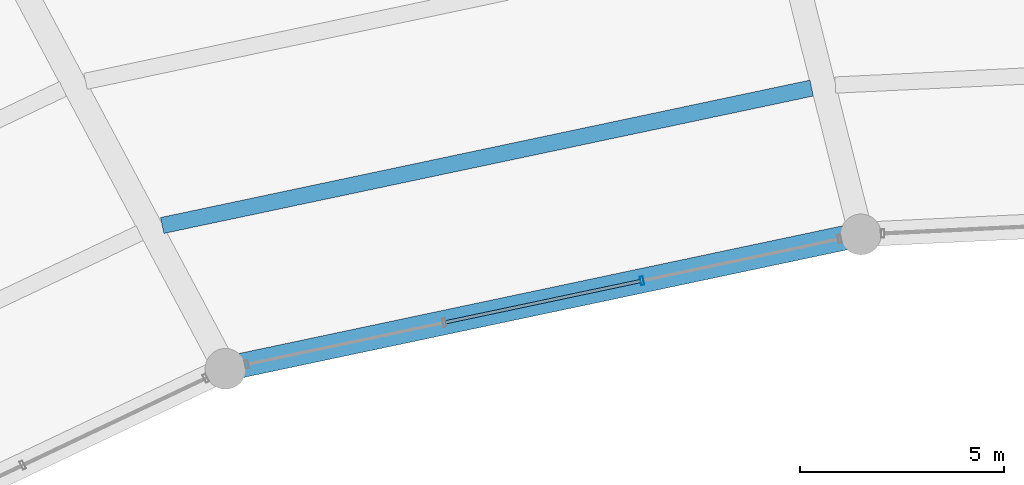
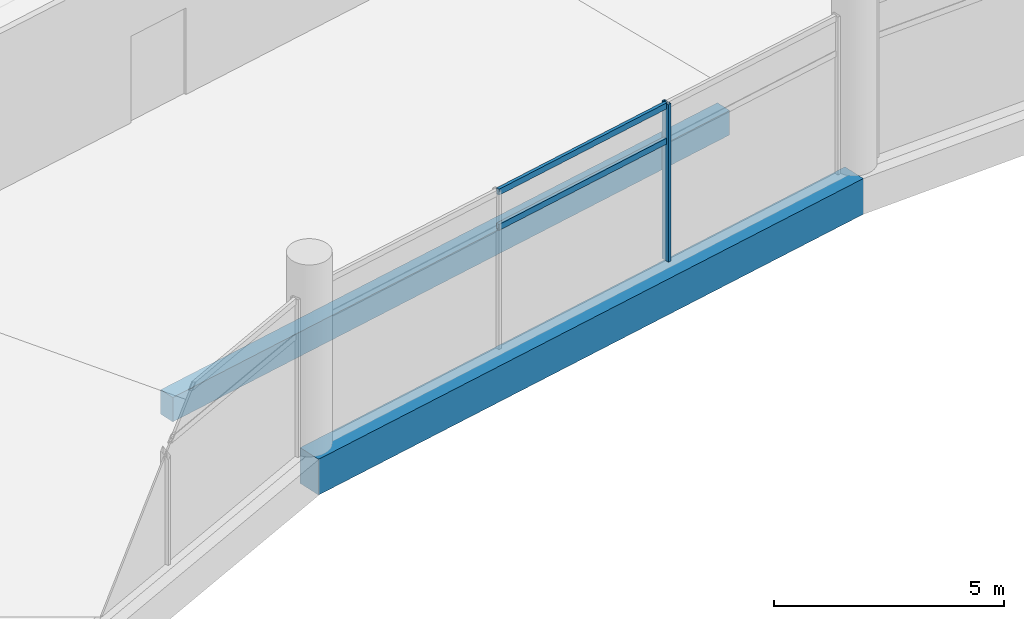
# One storey, part 106 of 184: 3 members, 2 beams, 1 element without a shape of its own.
"""IFC4 building model written with IfcOpenShell, lengths in metres."""

from ifc_helpers import new_model, si_unit, direction, frame, origin, origin_2d, place, context, subcontext, project, spatial, rectangle, hollow_rectangle, extrude, material, layer, layer_set, material_profile, profile_set, type_object, element, aggregate, save


model = new_model("IFC4")

# Units and contexts
model_context = context("Model", 3, precision=1e-05, world=origin(), true_north=direction((0.0, 1.0)))
body_context = subcontext(model_context, "Body", "Model", "MODEL_VIEW")
ifc_project = project(units=[si_unit("LENGTHUNIT", "METRE"), si_unit("AREAUNIT", "SQUARE_METRE"), si_unit("VOLUMEUNIT", "CUBIC_METRE"), si_unit("PLANEANGLEUNIT", "RADIAN"), si_unit("MASSUNIT", "GRAM", prefix="KILO")], contexts=[model_context])

# Site, building, storey
site_placement = place(None, origin())
site = spatial("IfcSite", under=ifc_project, at=site_placement, CompositionType="ELEMENT")
building_placement = place(site_placement, origin())
building = spatial("IfcBuilding", under=site, at=building_placement, Name="Kazemori Nagisa Stadium", CompositionType="ELEMENT")
storey_placement = place(building_placement, frame((0.0, 0.0, 10.5400390625)))
storey = spatial("IfcBuildingStorey", under=building, at=storey_placement, Name="L02", CompositionType="ELEMENT", Elevation=10.5400390625)

# Beams
ifc_material_1 = material(Name="Concrete C40/50 (Fc42)", Category="concrete")
ifc_material_profile_1 = material_profile(ifc_material_1, rectangle(XDim=0.60009765625, YDim=0.949951171875, at=origin_2d()), Name="RC-BM-600x950")
ifc_profile_set_1 = profile_set([ifc_material_profile_1], Name="Concrete C40/50 (Fc42)")
beam_type_1 = type_object("IfcBeamType", Name="Beam_BG-RC600X950", PredefinedType="BEAM", material=ifc_profile_set_1)
beam_1_placement = place(storey_placement, frame((107.35791015625, 164.040283203125, -0.735107421875), z_axis=(-0.978348272746, -0.206965352692, 0.0), x_axis=(0.206965352692, -0.978348272746, 0.0)))
element("IfcBeam", 1, at=beam_1_placement, inside=storey, type_object=beam_type_1, Name="Ring girder BG-RC600X950 L02 R1-09", PredefinedType="BEAM", context=body_context, shape_type="SweptSolid", body=[
    extrude(rectangle(XDim=0.60009765625, YDim=0.949951171875, at=origin_2d()), origin(), (0.0, 0.0, 1.0), 15.950927734375),
])
ifc_material_profile_2 = material_profile(ifc_material_1, rectangle(XDim=0.39990234375, YDim=0.64990234375, at=origin_2d()), Name="RC-BM-400x650")
ifc_profile_set_2 = profile_set([ifc_material_profile_2], Name="Concrete C40/50 (Fc42)")
beam_type_2 = type_object("IfcBeamType", Name="Beam_BJ-RC400X650", PredefinedType="JOIST", material=ifc_profile_set_2)
beam_2_placement = place(storey_placement, frame((106.147705078125, 167.6337890625, -0.5849609375), z_axis=(-0.978345737153, -0.206977338361, 0.0), x_axis=(0.206977338361, -0.978345737153, 0.0)))
element("IfcBeam", 2, at=beam_2_placement, inside=storey, type_object=beam_type_2, Name="Concourse joist BJ-RC400X650 L02 B09-1", PredefinedType="JOIST", context=body_context, shape_type="SweptSolid", body=[
    extrude(rectangle(XDim=0.39990234375, YDim=0.64990234375, at=origin_2d()), origin(), (0.0, 0.0, 1.0), 16.30029296875),
])

# Curtain wall, members
ifc_material_2 = material(Name="Anodised aluminium 6063-T5", Category="aluminium")
ifc_layer = layer(ifc_material_2, 0.2099609375, Name="Anodised aluminium 6063-T5", Category="aluminium")
ifc_layer_set = layer_set([ifc_layer], Name="Anodised aluminium 6063-T5")
curtain_wall_type = type_object("IfcCurtainWallType", Name="CW_L02B_75", PredefinedType="USERDEFINED", material=ifc_layer_set)
curtain_wall_placement = place(storey_placement, origin())
curtain_wall = element("IfcCurtainWall", 3, at=curtain_wall_placement, inside=storey, type_object=curtain_wall_type, Name="Unitised curtain wall CW-L02B-75 L02", ObjectType="UNITISED CURTAIN WALL", PredefinedType="USERDEFINED")
ifc_material_3 = material(Name="Aluminium 6063-T5 anodised", Category="aluminium")
ifc_material_profile_3 = material_profile(ifc_material_3, hollow_rectangle(XDim=0.080078125, YDim=0.2099609375, WallThickness=0.0048828125, at=origin_2d()), Name="ALU-MULL-80x210x5")
ifc_profile_set_3 = profile_set([ifc_material_profile_3], Name="Aluminium 6063-T5 anodised")
member_type_1 = type_object("IfcMemberType", Name="Mullion_M02", PredefinedType="MULLION", material=ifc_profile_set_3)
member_1_placement = place(storey_placement, frame((101.981689453125, 162.903076171875, 0.0), z_axis=(0.0, 0.0, 1.0), x_axis=(-0.978344955407, -0.206981033502, 0.0)))
member_1 = element("IfcMember", 4, at=member_1_placement, type_object=member_type_1, Name="Curtain wall mullion CW-L02B-75-M2", PredefinedType="MULLION", context=body_context, shape_type="SweptSolid", body=[
    extrude(hollow_rectangle(XDim=0.080078125, YDim=0.2099609375, WallThickness=0.0048828125, at=origin_2d()), origin(), (0.0, 0.0, 1.0), 4.18994140625),
])
ifc_material_profile_4 = material_profile(ifc_material_3, hollow_rectangle(XDim=0.080078125, YDim=0.159912109375, WallThickness=0.00390625, at=origin_2d()), Name="ALU-TRAN-80x160x4")
ifc_profile_set_4 = profile_set([ifc_material_profile_4], Name="Aluminium 6063-T5 anodised")
member_type_2 = type_object("IfcMemberType", Name="Transom_T02", PredefinedType="USERDEFINED", material=ifc_profile_set_4)
member_2_placement = place(storey_placement, frame((101.9619140625, 162.89892578125, 3.184326171875), z_axis=(-0.978336562441, -0.207020700878, 0.0), x_axis=(0.207020700878, -0.978336562441, 0.0)))
member_2 = element("IfcMember", 5, at=member_2_placement, type_object=member_type_2, Name="Curtain wall transom CW-L02B-75-T2-mid", ObjectType="TRANSOM", PredefinedType="USERDEFINED", context=body_context, shape_type="SweptSolid", body=[
    extrude(hollow_rectangle(XDim=0.080078125, YDim=0.159912109375, WallThickness=0.00390625, at=origin_2d()), origin(), (0.0, 0.0, 1.0), 4.920166015625),
])
member_3_placement = place(storey_placement, frame((101.9619140625, 162.89892578125, 4.119873046875), z_axis=(-0.978336562441, -0.207020700878, 0.0), x_axis=(0.207020700878, -0.978336562441, 0.0)))
member_3 = element("IfcMember", 6, at=member_3_placement, type_object=member_type_2, Name="Curtain wall transom CW-L02B-75-T2-head", ObjectType="TRANSOM", PredefinedType="USERDEFINED", context=body_context, shape_type="SweptSolid", body=[
    extrude(hollow_rectangle(XDim=0.080078125, YDim=0.159912109375, WallThickness=0.00390625, at=origin_2d()), origin(), (0.0, 0.0, 1.0), 4.920166015625),
])
aggregate(curtain_wall, [member_1, member_2, member_3])

save(model, "model.ifc")
